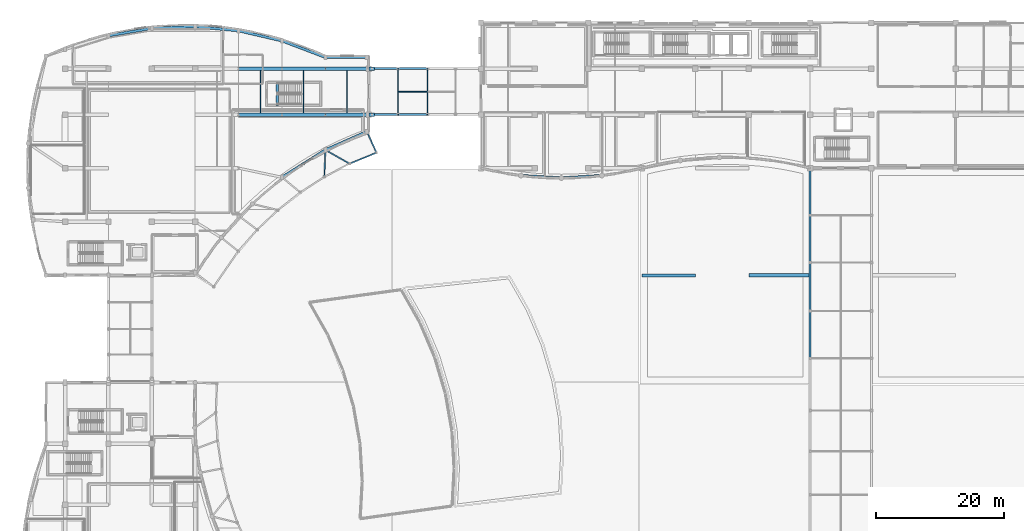
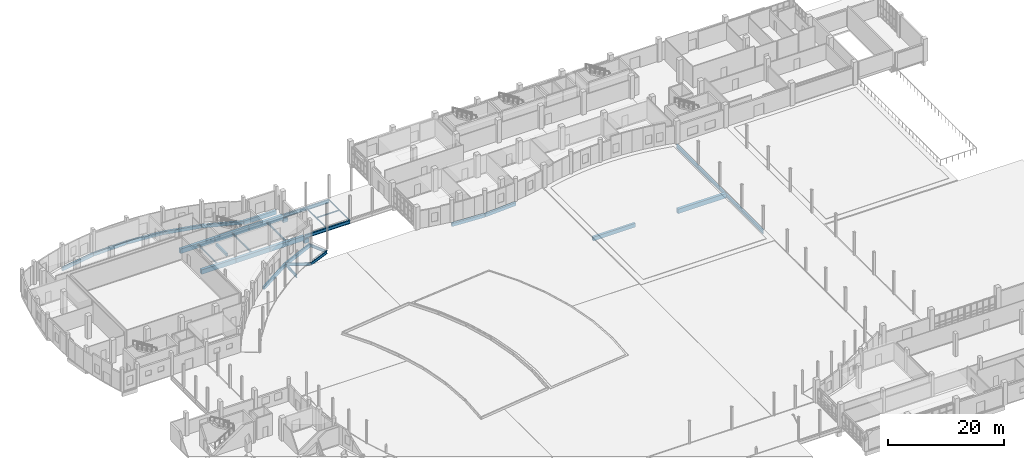
# One storey, part 28 of 97: 39 beams.
"""IFC4 building model written with IfcOpenShell, lengths in metres."""

from ifc_helpers import new_model, si_unit, direction, frame, origin, origin_2d, place, context, subcontext, project, spatial, rectangle, i_section, extrude, material, material_profile, profile_set, type_object, element, save


model = new_model("IFC4")

# Units and contexts
model_context = context("Model", 3, precision=1e-05, world=origin(), true_north=direction((0.0, 1.0)))
body_context = subcontext(model_context, "Body", "Model", "MODEL_VIEW")
ifc_project = project(units=[si_unit("LENGTHUNIT", "METRE"), si_unit("AREAUNIT", "SQUARE_METRE"), si_unit("VOLUMEUNIT", "CUBIC_METRE"), si_unit("PLANEANGLEUNIT", "RADIAN"), si_unit("MASSUNIT", "GRAM", prefix="KILO")], contexts=[model_context])

# Site, building, storey
site_placement = place(None, origin())
site = spatial("IfcSite", under=ifc_project, at=site_placement, CompositionType="ELEMENT")
building_placement = place(site_placement, origin())
building = spatial("IfcBuilding", under=site, at=building_placement, Name="Kisaragi Civic Commons", CompositionType="ELEMENT")
storey_placement = place(building_placement, origin())
storey = spatial("IfcBuildingStorey", under=building, at=storey_placement, Name="L00", CompositionType="ELEMENT", Elevation=0.0)

# Beams
ifc_material_1 = material(Name="Concrete Fc36", Category="concrete")
ifc_material_profile_1 = material_profile(ifc_material_1, rectangle(XDim=0.550048828125, YDim=0.85009765625, at=origin_2d()), Name="RC-550x850", Category="concrete")
ifc_profile_set_1 = profile_set([ifc_material_profile_1], Name="Concrete Fc36")
beam_type_1 = type_object("IfcBeamType", Name="CB-01", PredefinedType="BEAM", material=ifc_profile_set_1)
for number, where, z_axis, x_axis, name in (
    (1, (54.39990234375, 104.39990234375, -1.530029296875), (1.0, 0.0, 0.0), (0.0, 1.0, 0.0), "BR-V4-V2 L00 seismic corbel 5"),
    (2, (54.39990234375, 111.60009765625, -1.530029296875), (1.0, 0.0, 0.0), (0.0, 1.0, 0.0), "BR-V4-V2 L00 seismic corbel 10"),
):
    element("IfcBeam", number, at=place(storey_placement, frame(where, z_axis=z_axis, x_axis=x_axis)), inside=storey, type_object=beam_type_1, Name=name, PredefinedType="BEAM", context=body_context, shape_type="SweptSolid", body=[
        extrude(rectangle(XDim=0.550048828125, YDim=0.85009765625, at=origin_2d()), origin(), (0.0, 0.0, 1.0), 0.8701171875),
    ])
ifc_material_profile_2 = material_profile(ifc_material_1, rectangle(XDim=0.550048828125, YDim=0.949951171875, at=origin_2d()), Name="RC-550x950", Category="concrete")
ifc_profile_set_2 = profile_set([ifc_material_profile_2], Name="Concrete Fc36")
beam_type_2 = type_object("IfcBeamType", Name="G-01", PredefinedType="BEAM", material=ifc_profile_set_2)
for number, where, z_axis, x_axis, name in (
    (3, (34.0, 104.39990234375, -0.800048828125), (1.0, 0.0, 0.0), (0.0, 1.0, 0.0), "L00 girder G-01 62"),
    (4, (40.800048828125, 104.39990234375, -0.800048828125), (1.0, 0.0, 0.0), (0.0, 1.0, 0.0), "L00 girder G-01 63"),
):
    element("IfcBeam", number, at=place(storey_placement, frame(where, z_axis=z_axis, x_axis=x_axis)), inside=storey, type_object=beam_type_2, Name=name, PredefinedType="BEAM", context=body_context, shape_type="SweptSolid", body=[
        extrude(rectangle(XDim=0.550048828125, YDim=0.949951171875, at=origin_2d()), origin(), (0.0, 0.0, 1.0), 6.800048828125),
    ])
beam_1_placement = place(storey_placement, frame((47.60009765625, 104.39990234375, -0.800048828125), z_axis=(1.0, 0.0, 0.0), x_axis=(0.0, 1.0, 0.0)))
element("IfcBeam", 5, at=beam_1_placement, inside=storey, type_object=beam_type_2, Name="L00 girder G-01 64", PredefinedType="BEAM", context=body_context, shape_type="SweptSolid", body=[
    extrude(rectangle(XDim=0.550048828125, YDim=0.949951171875, at=origin_2d()), origin(), (0.0, 0.0, 1.0), 6.7998046875),
])
for number, where, z_axis, x_axis, name in (
    (6, (34.0, 111.60009765625, -0.800048828125), (1.0, 0.0, 0.0), (0.0, 1.0, 0.0), "L00 girder G-01 68"),
    (7, (40.800048828125, 111.60009765625, -0.800048828125), (1.0, 0.0, 0.0), (0.0, 1.0, 0.0), "L00 girder G-01 69"),
):
    element("IfcBeam", number, at=place(storey_placement, frame(where, z_axis=z_axis, x_axis=x_axis)), inside=storey, type_object=beam_type_2, Name=name, PredefinedType="BEAM", context=body_context, shape_type="SweptSolid", body=[
        extrude(rectangle(XDim=0.550048828125, YDim=0.949951171875, at=origin_2d()), origin(), (0.0, 0.0, 1.0), 6.800048828125),
    ])
beam_2_placement = place(storey_placement, frame((47.60009765625, 111.60009765625, -0.800048828125), z_axis=(1.0, 0.0, 0.0), x_axis=(0.0, 1.0, 0.0)))
element("IfcBeam", 8, at=beam_2_placement, inside=storey, type_object=beam_type_2, Name="L00 girder G-01 70", PredefinedType="BEAM", context=body_context, shape_type="SweptSolid", body=[
    extrude(rectangle(XDim=0.550048828125, YDim=0.949951171875, at=origin_2d()), origin(), (0.0, 0.0, 1.0), 6.7998046875),
])
beam_3_placement = place(storey_placement, frame((114.0, 79.199951171875, -0.800048828125), z_axis=(1.0, 0.0, 0.0), x_axis=(0.0, 1.0, 0.0)))
element("IfcBeam", 9, at=beam_3_placement, inside=storey, type_object=beam_type_2, Name="L00 girder G-01 109", PredefinedType="BEAM", context=body_context, shape_type="SweptSolid", body=[
    extrude(rectangle(XDim=0.550048828125, YDim=0.949951171875, at=origin_2d()), origin(), (0.0, 0.0, 1.0), 9.60009765625),
])
ifc_material_2 = material(Name="Steel SN490 (SN490B)", Category="steel")
ifc_material_profile_3 = material_profile(ifc_material_2, i_section(OverallWidth=0.300048828125, OverallDepth=0.699951171875, WebThickness=0.012939453125, FlangeThickness=0.02392578125, FilletRadius=0.01806640625, at=origin_2d()), Name="H-700x300x13x24", Category="steel")
ifc_profile_set_3 = profile_set([ifc_material_profile_3], Name="Steel SN490 (SN490B)")
beam_type_3 = type_object("IfcBeamType", Name="G-09", PredefinedType="BEAM", material=ifc_profile_set_3)
beam_4_placement = place(storey_placement, frame((63.60009765625, 104.39990234375, -0.68994140625), z_axis=(-1.0, 0.0, 0.0), x_axis=(0.0, -1.0, 0.0)))
element("IfcBeam", 10, at=beam_4_placement, inside=storey, type_object=beam_type_3, Name="BR-V4-V2 L00 bridge girder 3", PredefinedType="BEAM", context=body_context, shape_type="SweptSolid", body=[
    extrude(i_section(OverallWidth=0.300048828125, OverallDepth=0.699951171875, WebThickness=0.012939453125, FlangeThickness=0.02392578125, FilletRadius=0.01806640625, at=origin_2d()), origin(), (0.0, 0.0, 1.0), 4.60009765625),
])
beam_5_placement = place(storey_placement, frame((59.0, 104.39990234375, -0.68994140625), z_axis=(-1.0, 0.0, 0.0), x_axis=(0.0, -1.0, 0.0)))
element("IfcBeam", 11, at=beam_5_placement, inside=storey, type_object=beam_type_3, Name="BR-V4-V2 L00 bridge girder 4", PredefinedType="BEAM", context=body_context, shape_type="SweptSolid", body=[
    extrude(i_section(OverallWidth=0.300048828125, OverallDepth=0.699951171875, WebThickness=0.012939453125, FlangeThickness=0.02392578125, FilletRadius=0.01806640625, at=origin_2d()), origin(), (0.0, 0.0, 1.0), 4.449951171875),
])
beam_6_placement = place(storey_placement, frame((63.60009765625, 111.60009765625, -0.68994140625), z_axis=(-1.0, 0.0, 0.0), x_axis=(0.0, -1.0, 0.0)))
element("IfcBeam", 12, at=beam_6_placement, inside=storey, type_object=beam_type_3, Name="BR-V4-V2 L00 bridge girder 8", PredefinedType="BEAM", context=body_context, shape_type="SweptSolid", body=[
    extrude(i_section(OverallWidth=0.300048828125, OverallDepth=0.699951171875, WebThickness=0.012939453125, FlangeThickness=0.02392578125, FilletRadius=0.01806640625, at=origin_2d()), origin(), (0.0, 0.0, 1.0), 4.60009765625),
])
beam_7_placement = place(storey_placement, frame((59.0, 111.60009765625, -0.68994140625), z_axis=(-1.0, 0.0, 0.0), x_axis=(0.0, -1.0, 0.0)))
element("IfcBeam", 13, at=beam_7_placement, inside=storey, type_object=beam_type_3, Name="BR-V4-V2 L00 bridge girder 9", PredefinedType="BEAM", context=body_context, shape_type="SweptSolid", body=[
    extrude(i_section(OverallWidth=0.300048828125, OverallDepth=0.699951171875, WebThickness=0.012939453125, FlangeThickness=0.02392578125, FilletRadius=0.01806640625, at=origin_2d()), origin(), (0.0, 0.0, 1.0), 4.449951171875),
])
beam_8_placement = place(storey_placement, frame((123.60009765625, 96.0, -0.68994140625), z_axis=(0.0, -1.0, 0.0), x_axis=(1.0, 0.0, 0.0)))
element("IfcBeam", 14, at=beam_8_placement, inside=storey, type_object=beam_type_3, Name="BR-V4-V3 L00 bridge girder 91", PredefinedType="BEAM", context=body_context, shape_type="SweptSolid", body=[
    extrude(i_section(OverallWidth=0.300048828125, OverallDepth=0.699951171875, WebThickness=0.012939453125, FlangeThickness=0.02392578125, FilletRadius=0.01806640625, at=origin_2d()), origin(), (0.0, 0.0, 1.0), 7.39990234375),
])
beam_9_placement = place(storey_placement, frame((123.60009765625, 88.60009765625, -0.68994140625), z_axis=(0.0, -1.0, 0.0), x_axis=(1.0, 0.0, 0.0)))
element("IfcBeam", 15, at=beam_9_placement, inside=storey, type_object=beam_type_3, Name="BR-V4-V3 L00 bridge girder 92", PredefinedType="BEAM", context=body_context, shape_type="SweptSolid", body=[
    extrude(i_section(OverallWidth=0.300048828125, OverallDepth=0.699951171875, WebThickness=0.012939453125, FlangeThickness=0.02392578125, FilletRadius=0.01806640625, at=origin_2d()), origin(), (0.0, 0.0, 1.0), 7.400146484375),
])
beam_10_placement = place(storey_placement, frame((123.60009765625, 81.199951171875, -0.68994140625), z_axis=(0.0, -1.0, 0.0), x_axis=(1.0, 0.0, 0.0)))
element("IfcBeam", 16, at=beam_10_placement, inside=storey, type_object=beam_type_3, Name="BR-V4-V3 L00 bridge girder 93", PredefinedType="BEAM", context=body_context, shape_type="SweptSolid", body=[
    extrude(i_section(OverallWidth=0.300048828125, OverallDepth=0.699951171875, WebThickness=0.012939453125, FlangeThickness=0.02392578125, FilletRadius=0.01806640625, at=origin_2d()), origin(), (0.0, 0.0, 1.0), 7.599853515625),
])
beam_11_placement = place(storey_placement, frame((123.60009765625, 73.60009765625, -0.68994140625), z_axis=(0.0, -1.0, 0.0), x_axis=(1.0, 0.0, 0.0)))
element("IfcBeam", 17, at=beam_11_placement, inside=storey, type_object=beam_type_3, Name="BR-V4-V3 L00 bridge girder 94", PredefinedType="BEAM", context=body_context, shape_type="SweptSolid", body=[
    extrude(i_section(OverallWidth=0.300048828125, OverallDepth=0.699951171875, WebThickness=0.012939453125, FlangeThickness=0.02392578125, FilletRadius=0.01806640625, at=origin_2d()), origin(), (0.0, 0.0, 1.0), 7.400146484375),
])
ifc_material_profile_4 = material_profile(ifc_material_2, i_section(OverallWidth=0.199951171875, OverallDepth=0.60009765625, WebThickness=0.010986328125, FlangeThickness=0.01708984375, FilletRadius=0.012939453125, at=origin_2d()), Name="H-600x200x11x17", Category="steel")
ifc_profile_set_4 = profile_set([ifc_material_profile_4], Name="Steel SN490 (SN490B)")
beam_type_4 = type_object("IfcBeamType", Name="G-10", PredefinedType="BEAM", material=ifc_profile_set_4)
beam_12_placement = place(storey_placement, frame((55.617919921875, 98.425537109375, -0.639892578125), z_axis=(-0.925377864277, -0.379045918465, 0.0), x_axis=(0.379045918465, -0.925377864277, 0.0)))
element("IfcBeam", 18, at=beam_12_placement, inside=storey, type_object=beam_type_4, Name="VER-V2 L00 edge beam 47", PredefinedType="BEAM", context=body_context, shape_type="SweptSolid", body=[
    extrude(i_section(OverallWidth=0.199951171875, OverallDepth=0.60009765625, WebThickness=0.010986328125, FlangeThickness=0.01708984375, FilletRadius=0.012939453125, at=origin_2d()), origin(), (0.0, 0.0, 1.0), 4.556396484375),
])
beam_13_placement = place(storey_placement, frame((55.617919921875, 98.425537109375, -0.639892578125), z_axis=(-0.418396568397, 0.908264450231, 0.0), x_axis=(-0.908264450231, -0.418396568397, 0.0)))
element("IfcBeam", 19, at=beam_13_placement, inside=storey, type_object=beam_type_4, Name="VER-V2 L00 radial tie 54", PredefinedType="BEAM", context=body_context, shape_type="SweptSolid", body=[
    extrude(i_section(OverallWidth=0.199951171875, OverallDepth=0.60009765625, WebThickness=0.010986328125, FlangeThickness=0.01708984375, FilletRadius=0.012939453125, at=origin_2d()), origin(), (0.0, 0.0, 1.0), 3.627685546875),
])
beam_14_placement = place(storey_placement, frame((51.401611328125, 96.698486328125, -0.639892578125), z_axis=(-0.870155587198, 0.492777083547, 0.0), x_axis=(-0.492777083547, -0.870155587198, 0.0)))
element("IfcBeam", 20, at=beam_14_placement, inside=storey, type_object=beam_type_4, Name="VER-V2 L00 radial tie 55", PredefinedType="BEAM", context=body_context, shape_type="SweptSolid", body=[
    extrude(i_section(OverallWidth=0.199951171875, OverallDepth=0.60009765625, WebThickness=0.010986328125, FlangeThickness=0.01708984375, FilletRadius=0.012939453125, at=origin_2d()), origin(), (0.0, 0.0, 1.0), 4.368896484375),
])
beam_15_placement = place(storey_placement, frame((47.4326171875, 94.62451171875, -0.639892578125), z_axis=(0.039592336303, 0.999215916059, 0.0), x_axis=(-0.999215916059, 0.039592336303, 0.0)))
element("IfcBeam", 21, at=beam_15_placement, inside=storey, type_object=beam_type_4, Name="VER-V2 L00 radial tie 56", PredefinedType="BEAM", context=body_context, shape_type="SweptSolid", body=[
    extrude(i_section(OverallWidth=0.199951171875, OverallDepth=0.60009765625, WebThickness=0.010986328125, FlangeThickness=0.01708984375, FilletRadius=0.012939453125, at=origin_2d()), origin(), (0.0, 0.0, 1.0), 4.230224609375),
])
ifc_material_3 = material(Name="Concrete Fc30", Category="concrete")
ifc_material_profile_5 = material_profile(ifc_material_3, rectangle(XDim=0.35009765625, YDim=0.60009765625, at=origin_2d()), Name="RC-350x600", Category="concrete")
ifc_profile_set_5 = profile_set([ifc_material_profile_5], Name="Concrete Fc30")
beam_type_5 = type_object("IfcBeamType", Name="G-14", PredefinedType="BEAM", material=ifc_profile_set_5)
beam_16_placement = place(storey_placement, frame((40.050048828125, 105.85009765625, -0.300048828125), z_axis=(0.0, 1.0, 0.0), x_axis=(-1.0, 0.0, 0.0)))
element("IfcBeam", 22, at=beam_16_placement, inside=storey, type_object=beam_type_5, Name="ST-S2 L00 stair landing trimmer beam", PredefinedType="BEAM", context=body_context, shape_type="SweptSolid", body=[
    extrude(rectangle(XDim=0.35009765625, YDim=0.60009765625, at=origin_2d()), origin(), (0.0, 0.0, 1.0), 3.599853515625),
])
ifc_material_4 = material(Name="Steel SN400 (SN400B)", Category="steel")
ifc_material_profile_6 = material_profile(ifc_material_4, i_section(OverallWidth=0.175048828125, OverallDepth=0.35009765625, WebThickness=0.007080078125, FlangeThickness=0.010986328125, FilletRadius=0.012939453125, at=origin_2d()), Name="H-350x175x7x11", Category="steel")
ifc_profile_set_6 = profile_set([ifc_material_profile_6], Name="Steel SN400 (SN400B)")
beam_type_6 = type_object("IfcBeamType", Name="J-02", PredefinedType="JOIST", material=ifc_profile_set_6)
for number, where, z_axis, x_axis, name in (
    (23, (37.39990234375, 104.675048828125, -0.5), (0.0, 1.0, 0.0), (-1.0, 0.0, 0.0), "L00 secondary steel joist J-02 16"),
    (24, (44.199951171875, 104.675048828125, -0.5), (0.0, 1.0, 0.0), (-1.0, 0.0, 0.0), "L00 secondary steel joist J-02 17"),
    (25, (51.0, 104.675048828125, -0.5), (0.0, 1.0, 0.0), (-1.0, 0.0, 0.0), "L00 secondary steel joist J-02 18"),
):
    element("IfcBeam", number, at=place(storey_placement, frame(where, z_axis=z_axis, x_axis=x_axis)), inside=storey, type_object=beam_type_6, Name=name, PredefinedType="JOIST", context=body_context, shape_type="SweptSolid", body=[
        extrude(i_section(OverallWidth=0.175048828125, OverallDepth=0.35009765625, WebThickness=0.007080078125, FlangeThickness=0.010986328125, FilletRadius=0.012939453125, at=origin_2d()), origin(), (0.0, 0.0, 1.0), 6.64990234375),
    ])
ifc_material_profile_7 = material_profile(ifc_material_4, i_section(OverallWidth=0.125, OverallDepth=0.25, WebThickness=0.006103515625, FlangeThickness=0.009033203125, FilletRadius=0.008056640625, at=origin_2d()), Name="H-250x125x6x9", Category="steel")
ifc_profile_set_7 = profile_set([ifc_material_profile_7], Name="Steel SN400 (SN400B)")
beam_type_7 = type_object("IfcBeamType", Name="J-05", PredefinedType="JOIST", material=ifc_profile_set_7)
for number, where, z_axis, x_axis, name in (
    (26, (63.60009765625, 104.39990234375, -0.465087890625), (0.0, 1.0, 0.0), (-1.0, 0.0, 0.0), "BR-V4-V2 L00 cross joist 12"),
    (27, (59.0, 104.39990234375, -0.465087890625), (0.0, 1.0, 0.0), (-1.0, 0.0, 0.0), "BR-V4-V2 L00 cross joist 13"),
):
    element("IfcBeam", number, at=place(storey_placement, frame(where, z_axis=z_axis, x_axis=x_axis)), inside=storey, type_object=beam_type_7, Name=name, PredefinedType="JOIST", context=body_context, shape_type="SweptSolid", body=[
        extrude(i_section(OverallWidth=0.125, OverallDepth=0.25, WebThickness=0.006103515625, FlangeThickness=0.009033203125, FilletRadius=0.008056640625, at=origin_2d()), origin(), (0.0, 0.0, 1.0), 7.2001953125),
    ])
beam_17_placement = place(storey_placement, frame((63.53759765625, 108.0, -0.465087890625), z_axis=(-1.0, 0.0, 0.0), x_axis=(0.0, -1.0, 0.0)))
element("IfcBeam", 28, at=beam_17_placement, inside=storey, type_object=beam_type_7, Name="BR-V4-V2 L00 spine joist 15", PredefinedType="JOIST", context=body_context, shape_type="SweptSolid", body=[
    extrude(i_section(OverallWidth=0.125, OverallDepth=0.25, WebThickness=0.006103515625, FlangeThickness=0.009033203125, FilletRadius=0.008056640625, at=origin_2d()), origin(), (0.0, 0.0, 1.0), 4.47509765625),
])
ifc_material_profile_8 = material_profile(ifc_material_3, rectangle(XDim=0.449951171875, YDim=0.800048828125, at=origin_2d()), Name="RC-450x800", Category="concrete")
ifc_profile_set_8 = profile_set([ifc_material_profile_8], Name="Concrete Fc30")
beam_type_8 = type_object("IfcBeamType", Name="SPB-01", PredefinedType="SPANDREL", material=ifc_profile_set_8)
beam_18_placement = place(storey_placement, frame((47.60009765625, 113.3798828125, -0.72509765625), z_axis=(1.0, 0.0, 0.0), x_axis=(0.0, 1.0, 0.0)))
element("IfcBeam", 29, at=beam_18_placement, inside=storey, type_object=beam_type_8, Name="L00 girder SPB-01 71", PredefinedType="SPANDREL", context=body_context, shape_type="SweptSolid", body=[
    extrude(rectangle(XDim=0.449951171875, YDim=0.800048828125, at=origin_2d()), origin(), (0.0, 0.0, 1.0), 6.5),
])
beam_19_placement = place(storey_placement, frame((97.199951171875, 79.199951171875, -0.72509765625), z_axis=(1.0, 0.0, 0.0), x_axis=(0.0, 1.0, 0.0)))
element("IfcBeam", 30, at=beam_19_placement, inside=storey, type_object=beam_type_8, Name="L00 girder SPB-01 108", PredefinedType="SPANDREL", context=body_context, shape_type="SweptSolid", body=[
    extrude(rectangle(XDim=0.449951171875, YDim=0.800048828125, at=origin_2d()), origin(), (0.0, 0.0, 1.0), 8.400146484375),
])
ifc_material_profile_9 = material_profile(ifc_material_3, rectangle(XDim=0.39990234375, YDim=0.64990234375, at=origin_2d()), Name="RC-400x650", Category="concrete")
ifc_profile_set_9 = profile_set([ifc_material_profile_9], Name="Concrete Fc30")
beam_type_9 = type_object("IfcBeamType", Name="SPB-02", PredefinedType="SPANDREL", material=ifc_profile_set_9)
beam_20_placement = place(storey_placement, frame((54.10009765625, 101.720458984375, -0.64990234375), z_axis=(-0.914840154072, -0.403816161758, 0.0), x_axis=(0.403816161758, -0.914840154072, 0.0)))
element("IfcBeam", 31, at=beam_20_placement, inside=storey, type_object=beam_type_9, Name="L00 curved spandrel/ring girder SPB-02 72", PredefinedType="SPANDREL", context=body_context, shape_type="SweptSolid", body=[
    extrude(rectangle(XDim=0.39990234375, YDim=0.64990234375, at=origin_2d()), origin(), (0.0, 0.0, 1.0), 7.10498046875),
])
beam_21_placement = place(storey_placement, frame((47.60009765625, 98.851318359375, -0.64990234375), z_axis=(-0.845973556766, -0.533224850558, 0.0), x_axis=(0.533224850558, -0.845973556766, 0.0)))
element("IfcBeam", 32, at=beam_21_placement, inside=storey, type_object=beam_type_9, Name="L00 curved spandrel/ring girder SPB-02 73", PredefinedType="SPANDREL", context=body_context, shape_type="SweptSolid", body=[
    extrude(rectangle(XDim=0.39990234375, YDim=0.64990234375, at=origin_2d()), origin(), (0.0, 0.0, 1.0), 8.0380859375),
])
beam_22_placement = place(storey_placement, frame((47.60009765625, 113.3798828125, -0.64990234375), z_axis=(-0.934773996424, 0.355242981084, 0.0), x_axis=(-0.355242981084, -0.934773996424, 0.0)))
element("IfcBeam", 33, at=beam_22_placement, inside=storey, type_object=beam_type_9, Name="L00 curved spandrel/ring girder SPB-02 82", PredefinedType="SPANDREL", context=body_context, shape_type="SweptSolid", body=[
    extrude(rectangle(XDim=0.39990234375, YDim=0.64990234375, at=origin_2d()), origin(), (0.0, 0.0, 1.0), 7.274658203125),
])
beam_23_placement = place(storey_placement, frame((40.800048828125, 115.964111328125, -0.64990234375), z_axis=(-0.973996004458, 0.226565185541, 0.0), x_axis=(-0.226565185541, -0.973996004458, 0.0)))
element("IfcBeam", 34, at=beam_23_placement, inside=storey, type_object=beam_type_9, Name="L00 curved spandrel/ring girder SPB-02 83", PredefinedType="SPANDREL", context=body_context, shape_type="SweptSolid", body=[
    extrude(rectangle(XDim=0.39990234375, YDim=0.64990234375, at=origin_2d()), origin(), (0.0, 0.0, 1.0), 6.981689453125),
])
beam_24_placement = place(storey_placement, frame((34.0, 117.5458984375, -0.64990234375), z_axis=(-0.995564923416, 0.094077007088, 0.0), x_axis=(-0.094077007088, -0.995564923416, 0.0)))
element("IfcBeam", 35, at=beam_24_placement, inside=storey, type_object=beam_type_9, Name="L00 curved spandrel/ring girder SPB-02 84", PredefinedType="SPANDREL", context=body_context, shape_type="SweptSolid", body=[
    extrude(rectangle(XDim=0.39990234375, YDim=0.64990234375, at=origin_2d()), origin(), (0.0, 0.0, 1.0), 6.830322265625),
])
beam_25_placement = place(storey_placement, frame((27.199951171875, 118.1884765625, -0.64990234375), z_axis=(-0.99930095375, -0.037384540043, 0.0), x_axis=(0.037384540043, -0.99930095375, 0.0)))
element("IfcBeam", 36, at=beam_25_placement, inside=storey, type_object=beam_type_9, Name="L00 curved spandrel/ring girder SPB-02 85", PredefinedType="SPANDREL", context=body_context, shape_type="SweptSolid", body=[
    extrude(rectangle(XDim=0.39990234375, YDim=0.64990234375, at=origin_2d()), origin(), (0.0, 0.0, 1.0), 6.8046875),
])
beam_26_placement = place(storey_placement, frame((20.39990234375, 117.93408203125, -0.64990234375), z_axis=(-0.985667179406, -0.168701545463, 0.0), x_axis=(0.168701545463, -0.985667179406, 0.0)))
element("IfcBeam", 37, at=beam_26_placement, inside=storey, type_object=beam_type_9, Name="L00 curved spandrel/ring girder SPB-02 86", PredefinedType="SPANDREL", context=body_context, shape_type="SweptSolid", body=[
    extrude(rectangle(XDim=0.39990234375, YDim=0.64990234375, at=origin_2d()), origin(), (0.0, 0.0, 1.0), 6.898681640625),
])
beam_27_placement = place(storey_placement, frame((78.25244140625, 94.839111328125, -0.64990234375), z_axis=(0.998130651242, -0.061116307568, 0.0), x_axis=(0.061116307568, 0.998130651242, 0.0)))
element("IfcBeam", 38, at=beam_27_placement, inside=storey, type_object=beam_type_9, Name="L00 curved spandrel/ring girder SPB-02 129", PredefinedType="SPANDREL", context=body_context, shape_type="SweptSolid", body=[
    extrude(rectangle(XDim=0.39990234375, YDim=0.64990234375, at=origin_2d()), origin(), (0.0, 0.0, 1.0), 6.359619140625),
])
beam_28_placement = place(storey_placement, frame((84.60009765625, 94.450439453125, -0.64990234375), z_axis=(0.998130507841, 0.061118649505, 0.0), x_axis=(-0.061118649505, 0.998130507841, 0.0)))
element("IfcBeam", 39, at=beam_28_placement, inside=storey, type_object=beam_type_9, Name="L00 curved spandrel/ring girder SPB-02 130", PredefinedType="SPANDREL", context=body_context, shape_type="SweptSolid", body=[
    extrude(rectangle(XDim=0.39990234375, YDim=0.64990234375, at=origin_2d()), origin(), (0.0, 0.0, 1.0), 6.359375),
])

save(model, "model.ifc")
